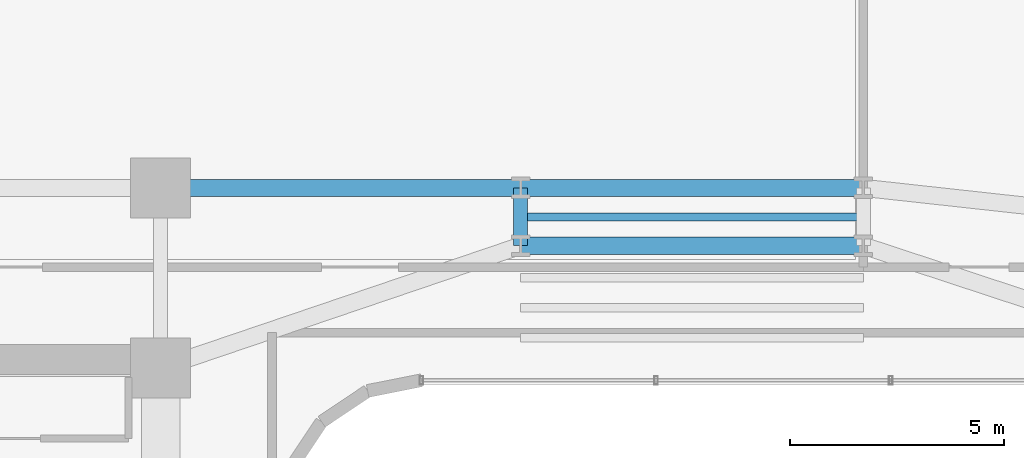
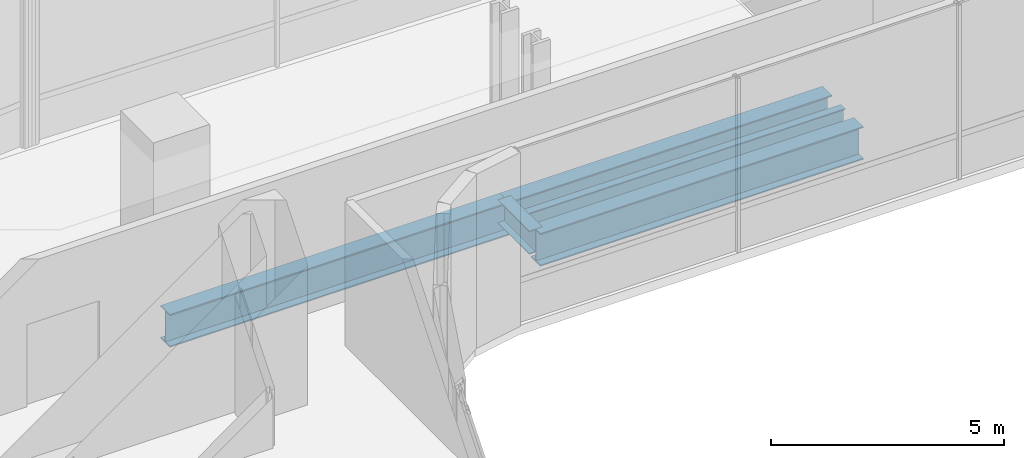
# One storey, part 24 of 39: 5 beams.
"""IFC4 building model written with IfcOpenShell, lengths in metres."""

from ifc_helpers import new_model, si_unit, direction, frame, origin, origin_2d, place, context, subcontext, project, spatial, i_section, extrude, source, transform, mapped, material, material_profile, profile_set, type_object, element, save


model = new_model("IFC4")

# Units and contexts
model_context = context("Model", 3, precision=1e-05, world=origin(), true_north=direction((0.0, 1.0)))
body_context = subcontext(model_context, "Body", "Model", "MODEL_VIEW")
ifc_project = project(units=[si_unit("LENGTHUNIT", "METRE"), si_unit("AREAUNIT", "SQUARE_METRE"), si_unit("VOLUMEUNIT", "CUBIC_METRE"), si_unit("PLANEANGLEUNIT", "RADIAN"), si_unit("MASSUNIT", "GRAM", prefix="KILO")], contexts=[model_context])

# Site, building, storey
site_placement = place(None, origin())
site = spatial("IfcSite", under=ifc_project, at=site_placement, CompositionType="ELEMENT")
building_placement = place(site_placement, origin())
building = spatial("IfcBuilding", under=site, at=building_placement, Name="Valdorenza Pilgrim Sanctuary Tower", CompositionType="ELEMENT")
storey_placement = place(building_placement, frame((0.0, 0.0, 96.300048828125)))
storey = spatial("IfcBuildingStorey", under=building, at=storey_placement, Name="L24", CompositionType="ELEMENT", Elevation=96.300048828125)

# Beams
ifc_material = material(Name="Steel ASTM A992 Grade 50", Category="steel")
ifc_material_profile_1 = material_profile(ifc_material, i_section(OverallWidth=0.39990234375, OverallDepth=0.862060546875, WebThickness=0.019775390625, FlangeThickness=0.032470703125, at=origin_2d()), Name="W33X221")
ifc_profile_set_1 = profile_set([ifc_material_profile_1], Name="Steel ASTM A992 Grade 50")
beam_type_1 = type_object("IfcBeamType", Name="STR-BM-GRD-W33", PredefinedType="BEAM", material=ifc_profile_set_1)
shared_shape_1 = source(origin(), body_context, "Body", "SweptSolid", [
    extrude(i_section(OverallWidth=0.39990234375, OverallDepth=0.862060546875, WebThickness=0.019775390625, FlangeThickness=0.032470703125, at=origin_2d()), origin(), (0.0, 0.0, 1.0), 8.0),
])
for number, where, z_axis, x_axis, name in (
    (1, (-4.0, 13.449951171875, -0.671142578125), (1.0, 0.0, 0.0), (0.0, 1.0, 0.0), "L24 Floor Girder KNK-G2"),
    (2, (-4.0, 14.800048828125, -0.671142578125), (1.0, 0.0, 0.0), (0.0, 1.0, 0.0), "L24 Floor Girder KNK-G5"),
):
    element("IfcBeam", number, at=place(storey_placement, frame(where, z_axis=z_axis, x_axis=x_axis)), inside=storey, type_object=beam_type_1, Name=name, PredefinedType="BEAM", context=body_context, shape_type="MappedRepresentation", body=[
        mapped(shared_shape_1, transform((0.0, 0.0, 0.0), x_axis=(1.0, 0.0, 0.0), y_axis=(0.0, 1.0, 0.0), z_axis=(0.0, 0.0, 1.0), scale=1.0)),
    ])
shared_shape_2 = source(origin(), body_context, "Body", "SweptSolid", [
    extrude(i_section(OverallWidth=0.39990234375, OverallDepth=0.862060546875, WebThickness=0.019775390625, FlangeThickness=0.032470703125, at=origin_2d()), origin(), (0.0, 0.0, 1.0), 8.39990234375),
])
beam_1_placement = place(storey_placement, frame((-12.39990234375, 14.800048828125, -0.671142578125), z_axis=(1.0, 0.0, 0.0), x_axis=(0.0, 1.0, 0.0)))
element("IfcBeam", 3, at=beam_1_placement, inside=storey, type_object=beam_type_1, Name="L24 Floor Girder KNK-G4", PredefinedType="BEAM", context=body_context, shape_type="MappedRepresentation", body=[
    mapped(shared_shape_2, transform((0.0, 0.0, 0.0), x_axis=(1.0, 0.0, 0.0), y_axis=(0.0, 1.0, 0.0), z_axis=(0.0, 0.0, 1.0), scale=1.0)),
])
ifc_material_profile_2 = material_profile(ifc_material, i_section(OverallWidth=0.323974609375, OverallDepth=0.611083984375, WebThickness=0.0126953125, FlangeThickness=0.01904296875, at=origin_2d()), Name="W24X104")
ifc_profile_set_2 = profile_set([ifc_material_profile_2], Name="Steel ASTM A992 Grade 50")
beam_type_2 = type_object("IfcBeamType", Name="STR-BM-GRD-W24B", PredefinedType="BEAM", material=ifc_profile_set_2)
shared_shape_3 = source(origin(), body_context, "Body", "SweptSolid", [
    extrude(i_section(OverallWidth=0.323974609375, OverallDepth=0.611083984375, WebThickness=0.0126953125, FlangeThickness=0.01904296875, at=origin_2d()), origin(), (0.0, 0.0, 1.0), 1.35009765625),
])
beam_2_placement = place(storey_placement, frame((-4.0, 13.449951171875, -0.545654296875), z_axis=(0.0, 1.0, 0.0), x_axis=(-1.0, 0.0, 0.0)))
element("IfcBeam", 4, at=beam_2_placement, inside=storey, type_object=beam_type_2, Name="L24 Floor Girder KNK-TIE-W", PredefinedType="BEAM", context=body_context, shape_type="MappedRepresentation", body=[
    mapped(shared_shape_3, transform((0.0, 0.0, 0.0), x_axis=(1.0, 0.0, 0.0), y_axis=(0.0, 1.0, 0.0), z_axis=(0.0, 0.0, 1.0), scale=1.0)),
])
ifc_material_profile_3 = material_profile(ifc_material, i_section(OverallWidth=0.193115234375, OverallDepth=0.466064453125, WebThickness=0.011474609375, FlangeThickness=0.01904296875, at=origin_2d()), Name="W18X65")
ifc_profile_set_3 = profile_set([ifc_material_profile_3], Name="Steel ASTM A992 Grade 50")
beam_type_3 = type_object("IfcBeamType", Name="STR-BM-JST-W18A", PredefinedType="JOIST", material=ifc_profile_set_3)
shared_shape_4 = source(origin(), body_context, "Body", "SweptSolid", [
    extrude(i_section(OverallWidth=0.193115234375, OverallDepth=0.466064453125, WebThickness=0.011474609375, FlangeThickness=0.01904296875, at=origin_2d()), origin(), (0.0, 0.0, 1.0), 8.0),
])
beam_3_placement = place(storey_placement, frame((-4.0, 14.1201171875, -0.47314453125), z_axis=(1.0, 0.0, 0.0), x_axis=(0.0, 1.0, 0.0)))
element("IfcBeam", 5, at=beam_3_placement, inside=storey, type_object=beam_type_3, Name="L24 Knuckle Composite Joist JST-KNK-4", PredefinedType="JOIST", context=body_context, shape_type="MappedRepresentation", body=[
    mapped(shared_shape_4, transform((0.0, 0.0, 0.0), x_axis=(1.0, 0.0, 0.0), y_axis=(0.0, 1.0, 0.0), z_axis=(0.0, 0.0, 1.0), scale=1.0)),
])

save(model, "model.ifc")
